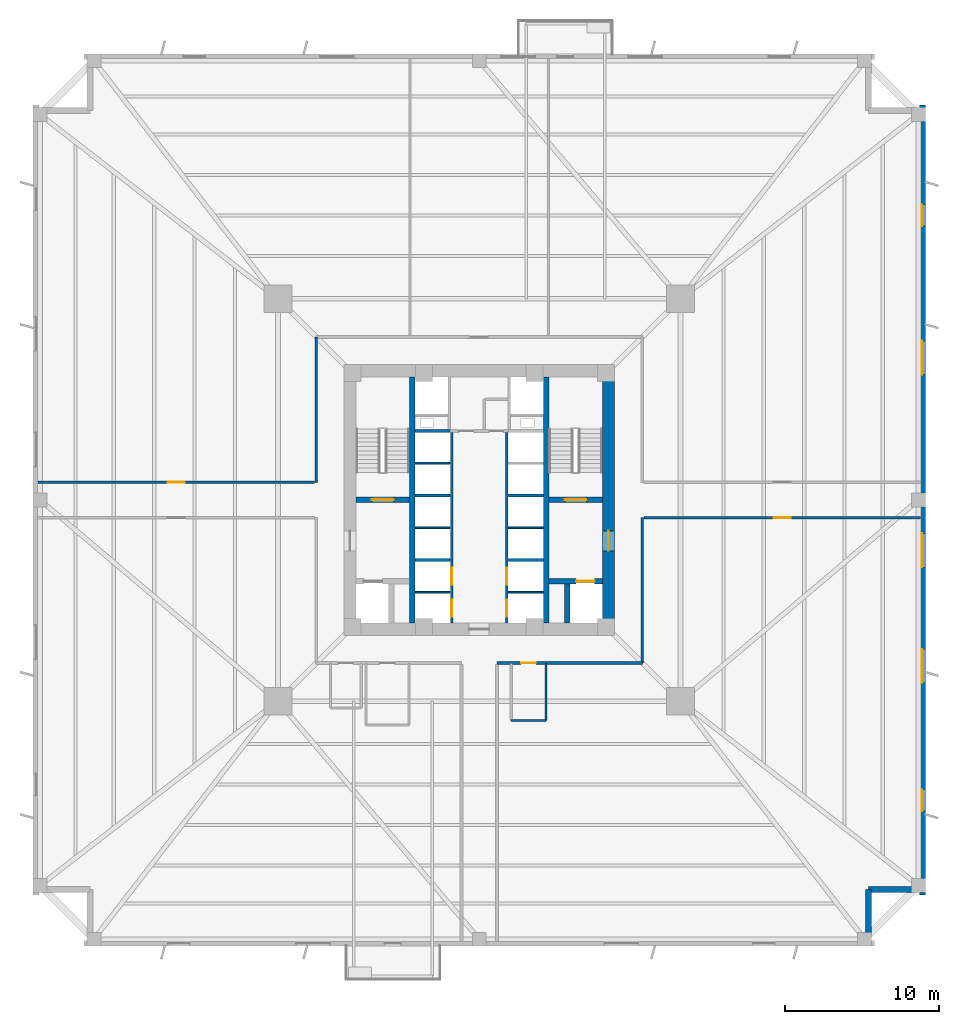
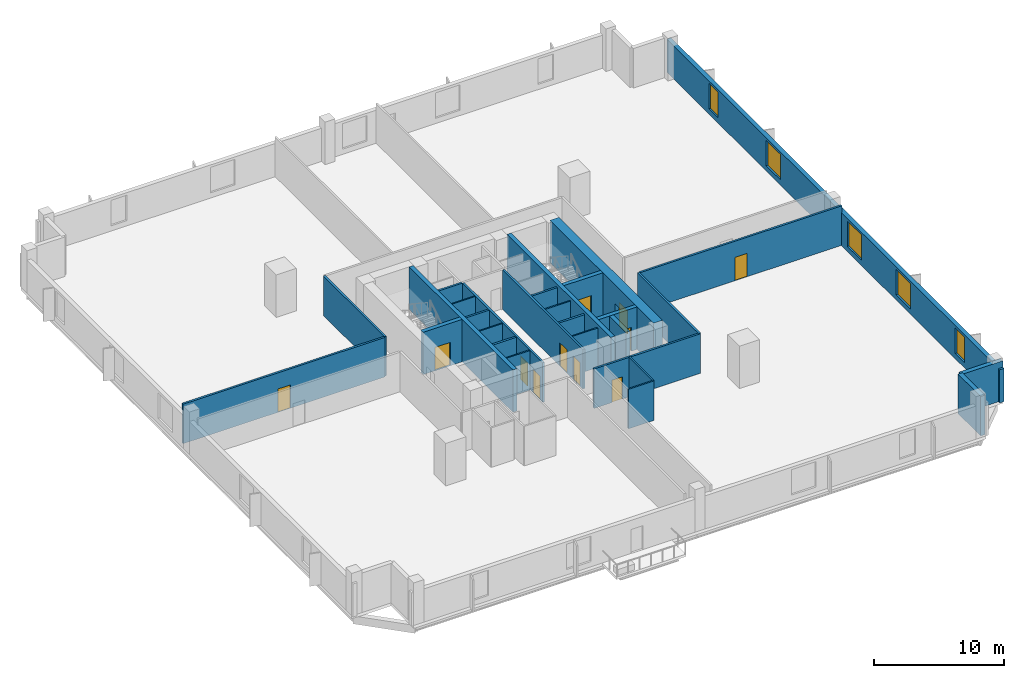
# One storey, part 3 of 8: 29 walls, 11 doors, 5 windows, 16 openings.
"""IFC4 building model written with IfcOpenShell, lengths in metres."""

from ifc_helpers import new_model, si_unit, direction, frame, frame_2d, origin, place, context, subcontext, project, spatial, rectangle, extrude, source, transform, mapped, material, layer, layer_set, type_object, element, fill, save


model = new_model("IFC4")

# Units and contexts
model_context = context("Model", 3, precision=1e-05, world=origin(), true_north=direction((0.0, 1.0)))
body_context = subcontext(model_context, "Body", "Model", "MODEL_VIEW")
ifc_project = project(units=[si_unit("LENGTHUNIT", "METRE"), si_unit("AREAUNIT", "SQUARE_METRE"), si_unit("VOLUMEUNIT", "CUBIC_METRE"), si_unit("PLANEANGLEUNIT", "RADIAN"), si_unit("MASSUNIT", "GRAM", prefix="KILO"), si_unit("THERMODYNAMICTEMPERATUREUNIT", "KELVIN")], contexts=[model_context])

# Site, building, storey
site_placement = place(None, origin())
site = spatial("IfcSite", under=ifc_project, at=site_placement, CompositionType="ELEMENT")
building_placement = place(site_placement, origin())
building = spatial("IfcBuilding", under=site, at=building_placement, Name="Kosmvard Interchange Tower", CompositionType="ELEMENT")
storey_placement = place(building_placement, frame((0.0, 0.0, 30.0)))
storey = spatial("IfcBuildingStorey", under=building, at=storey_placement, Name="L06", CompositionType="ELEMENT", Elevation=30.0)

# Wall, openings, doors
ifc_material_1 = material(Name="Fire-rated gypsum partition system")
ifc_layer_1 = layer(ifc_material_1, 0.179931640625, Name="Fire-rated gypsum partition system")
ifc_layer_set_1 = layer_set([ifc_layer_1], Name="Fire-rated gypsum partition system")
wall_type_1 = type_object("IfcWallType", Name="Corridor & Hotel Compartment Partition 180", PredefinedType="PARTITIONING", material=ifc_layer_set_1)
wall_1_placement = place(storey_placement, frame((-1.7900390625, -7.97998046875, 0.0), z_axis=(0.0, 0.0, 1.0), x_axis=(0.0, 1.0, 0.0)))
wall_1 = element("IfcWall", 1, at=wall_1_placement, inside=storey, type_object=wall_type_1, Name="L06 West Lift Bank Front Wall", PredefinedType="PARTITIONING", context=body_context, shape_type="SweptSolid", body=[
    extrude(rectangle(XDim=12.3798828125, YDim=0.179931640625, at=frame_2d((6.18994140625, 0.0))), origin(), (0.0, 0.0, 1.0), 3.719970703125),
])
opening_1_placement = place(wall_1_placement, frame((0.39990234375, 0.0, 0.0)))
opening_1 = element("IfcOpeningElement", 2, at=opening_1_placement, cuts=wall_1, Name="Opening LD-PL-L1-L06", PredefinedType="OPENING", context=body_context, shape_type="SweptSolid", body=[
    extrude(rectangle(XDim=1.10009765625, YDim=2.199951171875, at=frame_2d((0.550048828125, 1.10009765625))), frame((0.0, 0.10009765625, 0.0), z_axis=(0.0, -1.0, 0.0), x_axis=(1.0, 0.0, 0.0)), (0.0, 0.0, 1.0), 0.199951171875),
])
opening_2_placement = place(wall_1_placement, frame((2.4599609375, 0.0, 0.0)))
opening_2 = element("IfcOpeningElement", 3, at=opening_2_placement, cuts=wall_1, Name="Opening LD-PL-L2-L06", PredefinedType="OPENING", context=body_context, shape_type="SweptSolid", body=[
    extrude(rectangle(XDim=1.10009765625, YDim=2.199951171875, at=frame_2d((0.550048828125, 1.10009765625))), frame((0.0, 0.10009765625, 0.0), z_axis=(0.0, -1.0, 0.0), x_axis=(1.0, 0.0, 0.0)), (0.0, 0.0, 1.0), 0.199951171875),
])
ifc_material_2 = material(Name="Brushed stainless steel sliding leaf", Category="steel")
door_type_1 = type_object("IfcDoorType", Name="Passenger Lift Sliding Landing Door 1100x2200 EI60", OperationType="DOUBLE_DOOR_SLIDING", PredefinedType="DOOR", material=ifc_material_2)
shared_shape_1 = source(origin(), body_context, "Body", "SweptSolid", [
    extrude(rectangle(XDim=1.10009765625, YDim=2.199951171875, at=frame_2d((0.550048828125, 1.10009765625))), frame((0.0, 0.02490234375, 0.0), z_axis=(0.0, -1.0, 0.0), x_axis=(1.0, 0.0, 0.0)), (0.0, 0.0, 1.0), 0.050048828125),
])
door_1_placement = place(opening_1_placement, frame((1.10009765625, 0.0, 0.0), z_axis=(0.0, 0.0, 1.0), x_axis=(-1.0, 0.0, 0.0)))
door_1 = element("IfcDoor", 4, at=door_1_placement, inside=storey, type_object=door_type_1, Name="Lift PL-L1 Landing Door L06", OperationType="DOUBLE_DOOR_SLIDING", OverallHeight=2.199951171875, OverallWidth=1.10009765625, PredefinedType="DOOR", context=body_context, shape_type="MappedRepresentation", body=[
    mapped(shared_shape_1, transform((0.0, 0.0, 0.0), scale=1.0)),
])
fill(opening_1, door_1)
door_2_placement = place(opening_2_placement, frame((1.10009765625, 0.0, 0.0), z_axis=(0.0, 0.0, 1.0), x_axis=(-1.0, 0.0, 0.0)))
door_2 = element("IfcDoor", 5, at=door_2_placement, inside=storey, type_object=door_type_1, Name="Lift PL-L2 Landing Door L06", OperationType="DOUBLE_DOOR_SLIDING", OverallHeight=2.199951171875, OverallWidth=1.10009765625, PredefinedType="DOOR", context=body_context, shape_type="MappedRepresentation", body=[
    mapped(shared_shape_1, transform((0.0, 0.0, 0.0), scale=1.0)),
])
fill(opening_2, door_2)

wall_2_placement = place(storey_placement, frame((1.7900390625, -7.97998046875, 0.0), z_axis=(0.0, 0.0, 1.0), x_axis=(0.0, 1.0, 0.0)))
wall_2 = element("IfcWall", 6, at=wall_2_placement, inside=storey, type_object=wall_type_1, Name="L06 East Lift Bank Front Wall", PredefinedType="PARTITIONING", context=body_context, shape_type="SweptSolid", body=[
    extrude(rectangle(XDim=12.3798828125, YDim=0.179931640625, at=frame_2d((6.18994140625, 0.0))), origin(), (0.0, 0.0, 1.0), 3.719970703125),
])
opening_3_placement = place(wall_2_placement, frame((0.39990234375, 0.0, 0.0)))
opening_3 = element("IfcOpeningElement", 7, at=opening_3_placement, cuts=wall_2, Name="Opening LD-PL-L3-L06", PredefinedType="OPENING", context=body_context, shape_type="SweptSolid", body=[
    extrude(rectangle(XDim=1.10009765625, YDim=2.199951171875, at=frame_2d((0.550048828125, 1.10009765625))), frame((0.0, 0.10009765625, 0.0), z_axis=(0.0, -1.0, 0.0), x_axis=(1.0, 0.0, 0.0)), (0.0, 0.0, 1.0), 0.199951171875),
])
opening_4_placement = place(wall_2_placement, frame((2.4599609375, 0.0, 0.0)))
opening_4 = element("IfcOpeningElement", 8, at=opening_4_placement, cuts=wall_2, Name="Opening LD-PL-L4-L06", PredefinedType="OPENING", context=body_context, shape_type="SweptSolid", body=[
    extrude(rectangle(XDim=1.10009765625, YDim=2.199951171875, at=frame_2d((0.550048828125, 1.10009765625))), frame((0.0, 0.10009765625, 0.0), z_axis=(0.0, -1.0, 0.0), x_axis=(1.0, 0.0, 0.0)), (0.0, 0.0, 1.0), 0.199951171875),
])
door_3_placement = place(opening_3_placement, origin())
door_3 = element("IfcDoor", 9, at=door_3_placement, inside=storey, type_object=door_type_1, Name="Lift PL-L3 Landing Door L06", OperationType="DOUBLE_DOOR_SLIDING", OverallHeight=2.199951171875, OverallWidth=1.10009765625, PredefinedType="DOOR", context=body_context, shape_type="MappedRepresentation", body=[
    mapped(shared_shape_1, transform((0.0, 0.0, 0.0), scale=1.0)),
])
fill(opening_3, door_3)
door_4_placement = place(opening_4_placement, origin())
door_4 = element("IfcDoor", 10, at=door_4_placement, inside=storey, type_object=door_type_1, Name="Lift PL-L4 Landing Door L06", OperationType="DOUBLE_DOOR_SLIDING", OverallHeight=2.199951171875, OverallWidth=1.10009765625, PredefinedType="DOOR", context=body_context, shape_type="MappedRepresentation", body=[
    mapped(shared_shape_1, transform((0.0, 0.0, 0.0), scale=1.0)),
])
fill(opening_4, door_4)

# Wall, opening, door
wall_3_placement = place(storey_placement, frame((1.14990234375, -10.60009765625, 0.0), z_axis=(0.0, 0.0, 1.0), x_axis=(1.0, 0.0, 0.0)))
wall_3 = element("IfcWall", 11, at=wall_3_placement, inside=storey, type_object=wall_type_1, Name="L06 Corridor Wall CSE", PredefinedType="PARTITIONING", context=body_context, shape_type="SweptSolid", body=[
    extrude(rectangle(XDim=9.4501953125, YDim=0.179931640625, at=frame_2d((4.72509765625, 0.0))), origin(), (0.0, 0.0, 1.0), 3.719970703125),
])
opening_5_placement = place(wall_3_placement, frame((1.580078125, 0.0, 0.0)))
opening_5 = element("IfcOpeningElement", 12, at=opening_5_placement, cuts=wall_3, Name="Opening L06-D02", PredefinedType="OPENING", context=body_context, shape_type="SweptSolid", body=[
    extrude(rectangle(XDim=0.949951171875, YDim=2.10009765625, at=frame_2d((0.47509765625, 1.050048828125))), frame((0.0, 0.10009765625, 0.0), z_axis=(0.0, -1.0, 0.0), x_axis=(1.0, 0.0, 0.0)), (0.0, 0.0, 1.0), 0.199951171875),
])
ifc_material_3 = material(Name="Laminated moisture-resistant timber", Category="wood")
door_type_2 = type_object("IfcDoorType", Name="Accessible Washroom Door 950x2100", OperationType="NOTDEFINED", PredefinedType="DOOR", material=ifc_material_3)
shared_shape_2 = source(origin(), body_context, "Body", "SweptSolid", [
    extrude(rectangle(XDim=0.949951171875, YDim=2.10009765625, at=frame_2d((0.47509765625, 1.050048828125))), frame((0.0, 0.02490234375, 0.0), z_axis=(0.0, -1.0, 0.0), x_axis=(1.0, 0.0, 0.0)), (0.0, 0.0, 1.0), 0.050048828125),
])
door_5_placement = place(opening_5_placement, frame((0.949951171875, 0.0, 0.0), z_axis=(0.0, 0.0, 1.0), x_axis=(-1.0, 0.0, 0.0)))
door_5 = element("IfcDoor", 13, at=door_5_placement, inside=storey, type_object=door_type_2, Name="L06 Public Floor Washroom Door", OperationType="SINGLE_SWING_RIGHT", OverallHeight=2.10009765625, OverallWidth=0.949951171875, PredefinedType="DOOR", context=body_context, shape_type="MappedRepresentation", body=[
    mapped(shared_shape_2, transform((0.0, 0.0, 0.0), scale=1.0)),
])
fill(opening_5, door_5)

# Walls
for number, where, z_axis, x_axis, name in (
    (14, (-10.60009765625, 1.14990234375, 0.0), (0.0, 0.0, 1.0), (0.0, 1.0, 0.0), "L06 Corridor Wall CWN"),
    (15, (10.60009765625, -10.60009765625, 0.0), (0.0, 0.0, 1.0), (0.0, 1.0, 0.0), "L06 Corridor Wall CES"),
):
    element("IfcWall", number, at=place(storey_placement, frame(where, z_axis=z_axis, x_axis=x_axis)), inside=storey, type_object=wall_type_1, Name=name, PredefinedType="PARTITIONING", context=body_context, shape_type="SweptSolid", body=[
        extrude(rectangle(XDim=9.4501953125, YDim=0.179931640625, at=frame_2d((4.72509765625, 0.0))), origin(), (0.0, 0.0, 1.0), 3.719970703125),
    ])

# Wall, opening, door
wall_4_placement = place(storey_placement, frame((-28.68505859375, 1.14990234375, 0.0), z_axis=(0.0, 0.0, 1.0), x_axis=(1.0, 0.0, 0.0)))
wall_4 = element("IfcWall", 16, at=wall_4_placement, inside=storey, type_object=wall_type_1, Name="L06 Corridor Wall SWN", PredefinedType="PARTITIONING", context=body_context, shape_type="SweptSolid", body=[
    extrude(rectangle(XDim=17.985107421875, YDim=0.179931640625, at=frame_2d((8.99267578125, 0.0))), origin(), (0.0, 0.0, 1.0), 3.719970703125),
])
opening_6_placement = place(wall_4_placement, frame((8.4423828125, 0.0, 0.0)))
opening_6 = element("IfcOpeningElement", 17, at=opening_6_placement, cuts=wall_4, Name="Opening L06-D04", PredefinedType="OPENING", context=body_context, shape_type="SweptSolid", body=[
    extrude(rectangle(XDim=1.10009765625, YDim=2.199951171875, at=frame_2d((0.550048828125, 1.10009765625))), frame((0.0, 0.10009765625, 0.0), z_axis=(0.0, -1.0, 0.0), x_axis=(1.0, 0.0, 0.0)), (0.0, 0.0, 1.0), 0.199951171875),
])
ifc_material_4 = material(Name="Engineered oak fire-rated timber", Category="wood")
door_type_3 = type_object("IfcDoorType", Name="Office Suite Entrance Door 1100x2200 FD30S", OperationType="NOTDEFINED", PredefinedType="DOOR", material=ifc_material_4)
door_6_placement = place(opening_6_placement, origin())
door_6 = element("IfcDoor", 18, at=door_6_placement, inside=storey, type_object=door_type_3, Name="L06 North-West Open Plan Workplace Door", OperationType="SINGLE_SWING_RIGHT", OverallHeight=2.199951171875, OverallWidth=1.10009765625, PredefinedType="DOOR", context=body_context, shape_type="MappedRepresentation", body=[
    mapped(shared_shape_1, transform((0.0, 0.0, 0.0), scale=1.0)),
])
fill(opening_6, door_6)

wall_5_placement = place(storey_placement, frame((10.699951171875, -1.14990234375, 0.0), z_axis=(0.0, 0.0, 1.0), x_axis=(1.0, 0.0, 0.0)))
wall_5 = element("IfcWall", 19, at=wall_5_placement, inside=storey, type_object=wall_type_1, Name="L06 Corridor Wall SES", PredefinedType="PARTITIONING", context=body_context, shape_type="SweptSolid", body=[
    extrude(rectangle(XDim=17.985107421875, YDim=0.179931640625, at=frame_2d((8.99267578125, 0.0))), origin(), (0.0, 0.0, 1.0), 3.719970703125),
])
opening_7_placement = place(wall_5_placement, frame((8.4423828125, 0.0, 0.0)))
opening_7 = element("IfcOpeningElement", 20, at=opening_7_placement, cuts=wall_5, Name="Opening L06-D07", PredefinedType="OPENING", context=body_context, shape_type="SweptSolid", body=[
    extrude(rectangle(XDim=1.10009765625, YDim=2.199951171875, at=frame_2d((0.550048828125, 1.10009765625))), frame((0.0, 0.10009765625, 0.0), z_axis=(0.0, -1.0, 0.0), x_axis=(1.0, 0.0, 0.0)), (0.0, 0.0, 1.0), 0.199951171875),
])
door_7_placement = place(opening_7_placement, frame((1.10009765625, 0.0, 0.0), z_axis=(0.0, 0.0, 1.0), x_axis=(-1.0, 0.0, 0.0)))
door_7 = element("IfcDoor", 21, at=door_7_placement, inside=storey, type_object=door_type_3, Name="L06 South-East Open Trading Workplace Door", OperationType="SINGLE_SWING_LEFT", OverallHeight=2.199951171875, OverallWidth=1.10009765625, PredefinedType="DOOR", context=body_context, shape_type="MappedRepresentation", body=[
    mapped(shared_shape_1, transform((0.0, 0.0, 0.0), scale=1.0)),
])
fill(opening_7, door_7)

ifc_material_5 = material(Name="Concrete C80/95", Category="concrete")
ifc_layer_2 = layer(ifc_material_5, 0.800048828125, Name="Concrete C80/95")
ifc_layer_set_2 = layer_set([ifc_layer_2], Name="Concrete C80/95")
wall_type_2 = type_object("IfcWallType", Name="Lower Core Shear Wall 800 C80/95", PredefinedType="SHEAR", material=ifc_layer_set_2)
wall_6_placement = place(storey_placement, frame((8.39990234375, -8.0, 0.0), z_axis=(0.0, 0.0, 1.0), x_axis=(0.0, 1.0, 0.0)))
wall_6 = element("IfcWall", 22, at=wall_6_placement, inside=storey, type_object=wall_type_2, Name="L06 Core Shear Wall CW-E", PredefinedType="SHEAR", context=body_context, shape_type="SweptSolid", body=[
    extrude(rectangle(XDim=16.0, YDim=0.800048828125, at=frame_2d((8.0, 0.0))), origin(), (0.0, 0.0, 1.0), 4.0),
])
opening_8_placement = place(wall_6_placement, frame((4.68994140625, 0.0, 0.0)))
opening_8 = element("IfcOpeningElement", 23, at=opening_8_placement, cuts=wall_6, Name="Opening L06-FD2", PredefinedType="OPENING", context=body_context, shape_type="SweptSolid", body=[
    extrude(rectangle(XDim=1.300048828125, YDim=2.199951171875, at=frame_2d((0.64990234375, 1.10009765625))), frame((0.0, 0.41015625, 0.0), z_axis=(0.0, -1.0, 0.0), x_axis=(1.0, 0.0, 0.0)), (0.0, 0.0, 1.0), 0.820068359375),
])
ifc_material_6 = material(Name="Painted fire-rated steel leaf", Category="steel")
door_type_4 = type_object("IfcDoorType", Name="Firefighting Lobby Door 1300x2200 EI60", OperationType="NOTDEFINED", PredefinedType="DOOR", material=ifc_material_6)
shared_shape_3 = source(origin(), body_context, "Body", "SweptSolid", [
    extrude(rectangle(XDim=1.300048828125, YDim=2.199951171875, at=frame_2d((0.64990234375, 1.10009765625))), frame((0.0, 0.02490234375, 0.0), z_axis=(0.0, -1.0, 0.0), x_axis=(1.0, 0.0, 0.0)), (0.0, 0.0, 1.0), 0.050048828125),
])
door_8_placement = place(opening_8_placement, origin())
door_8 = element("IfcDoor", 24, at=door_8_placement, inside=storey, type_object=door_type_4, Name="L06 Firefighting Lobby East Door", OperationType="SINGLE_SWING_RIGHT", OverallHeight=2.199951171875, OverallWidth=1.300048828125, PredefinedType="DOOR", context=body_context, shape_type="MappedRepresentation", body=[
    mapped(shared_shape_3, transform((0.0, 0.0, 0.0), scale=1.0)),
])
fill(opening_8, door_8)

# Walls
ifc_material_7 = material(Name="Precast concrete C45/55", Category="concrete")
ifc_layer_3 = layer(ifc_material_7, 0.3798828125, Name="Precast concrete C45/55")
ifc_layer_set_3 = layer_set([ifc_layer_3], Name="Precast concrete C45/55")
wall_type_3 = type_object("IfcWallType", Name="Lower Tower Precast Pier Wall 380 C45/55", PredefinedType="STANDARD", material=ifc_layer_set_3)
wall_7_placement = place(storey_placement, frame((25.31005859375, -28.81005859375, 0.0), z_axis=(0.0, 0.0, 1.0), x_axis=(0.0, 1.0, 0.0)))
element("IfcWall", 25, at=wall_7_placement, inside=storey, type_object=wall_type_3, Name="L06 Precast Facade Wall N-SE1", PredefinedType="STANDARD", context=body_context, shape_type="SweptSolid", body=[
    extrude(rectangle(XDim=3.5, YDim=0.3798828125, at=frame_2d((1.75, 0.0))), origin(), (0.0, 0.0, 1.0), 3.719970703125),
])
wall_8_placement = place(storey_placement, frame((25.31005859375, -25.31005859375, 0.0), z_axis=(0.0, 0.0, 1.0), x_axis=(1.0, 0.0, 0.0)))
element("IfcWall", 26, at=wall_8_placement, inside=storey, type_object=wall_type_3, Name="L06 Precast Facade Wall N-SE2", PredefinedType="STANDARD", context=body_context, shape_type="SweptSolid", body=[
    extrude(rectangle(XDim=3.68994140625, YDim=0.3798828125, at=frame_2d((1.844970703125, 0.0))), origin(), (0.0, 0.0, 1.0), 3.719970703125),
])

# Wall, openings, windows
wall_9_placement = place(storey_placement, frame((28.81005859375, -25.68994140625, 0.0), z_axis=(0.0, 0.0, 1.0), x_axis=(0.0, 1.0, 0.0)))
wall_9 = element("IfcWall", 27, at=wall_9_placement, inside=storey, type_object=wall_type_3, Name="L06 Precast Facade Wall F-E", PredefinedType="STANDARD", context=body_context, shape_type="SweptSolid", body=[
    extrude(rectangle(XDim=51.3798828125, YDim=0.3798828125, at=frame_2d((25.68994140625, 0.0))), origin(), (0.0, 0.0, 1.0), 3.1201171875),
])
opening_9_placement = place(wall_9_placement, frame((5.465576171875, 0.0, 0.489990234375)))
opening_9 = element("IfcOpeningElement", 28, at=opening_9_placement, cuts=wall_9, Name="Opening L06-W05", PredefinedType="OPENING", context=body_context, shape_type="SweptSolid", body=[
    extrude(rectangle(XDim=1.39990234375, YDim=2.39990234375, at=frame_2d((0.699951171875, 1.199951171875))), frame((0.0, 0.199951171875, 0.0), z_axis=(0.0, -1.0, 0.0), x_axis=(1.0, 0.0, 0.0)), (0.0, 0.0, 1.0), 0.39990234375),
])
opening_10_placement = place(wall_9_placement, frame((13.80029296875, 0.0, 0.489990234375)))
opening_10 = element("IfcOpeningElement", 29, at=opening_10_placement, cuts=wall_9, Name="Opening L06-W06", PredefinedType="OPENING", context=body_context, shape_type="SweptSolid", body=[
    extrude(rectangle(XDim=2.199951171875, YDim=2.39990234375, at=frame_2d((1.10009765625, 1.199951171875))), frame((0.0, 0.199951171875, 0.0), z_axis=(0.0, -1.0, 0.0), x_axis=(1.0, 0.0, 0.0)), (0.0, 0.0, 1.0), 0.39990234375),
])
opening_11_placement = place(wall_9_placement, frame((21.3125, 0.0, 0.489990234375)))
opening_11 = element("IfcOpeningElement", 30, at=opening_11_placement, cuts=wall_9, Name="Opening L06-W07", PredefinedType="OPENING", context=body_context, shape_type="SweptSolid", body=[
    extrude(rectangle(XDim=2.199951171875, YDim=2.39990234375, at=frame_2d((1.10009765625, 1.199951171875))), frame((0.0, 0.199951171875, 0.0), z_axis=(0.0, -1.0, 0.0), x_axis=(1.0, 0.0, 0.0)), (0.0, 0.0, 1.0), 0.39990234375),
])
opening_12_placement = place(wall_9_placement, frame((33.83837890625, 0.0, 0.489990234375)))
opening_12 = element("IfcOpeningElement", 31, at=opening_12_placement, cuts=wall_9, Name="Opening L06-W08", PredefinedType="OPENING", context=body_context, shape_type="SweptSolid", body=[
    extrude(rectangle(XDim=2.199951171875, YDim=2.39990234375, at=frame_2d((1.10009765625, 1.199951171875))), frame((0.0, 0.199951171875, 0.0), z_axis=(0.0, -1.0, 0.0), x_axis=(1.0, 0.0, 0.0)), (0.0, 0.0, 1.0), 0.39990234375),
])
opening_13_placement = place(wall_9_placement, frame((43.48681640625, 0.0, 0.489990234375)))
opening_13 = element("IfcOpeningElement", 32, at=opening_13_placement, cuts=wall_9, Name="Opening L06-W09", PredefinedType="OPENING", context=body_context, shape_type="SweptSolid", body=[
    extrude(rectangle(XDim=1.39990234375, YDim=2.39990234375, at=frame_2d((0.699951171875, 1.199951171875))), frame((0.0, 0.199951171875, 0.0), z_axis=(0.0, -1.0, 0.0), x_axis=(1.0, 0.0, 0.0)), (0.0, 0.0, 1.0), 0.39990234375),
])
ifc_material_8 = material(Name="Low-E solar-control double glazing", Category="glass")
window_type_1 = type_object("IfcWindowType", Name="Notched Corner Feature Window 1400x2400", PartitioningType="SINGLE_PANEL", PredefinedType="WINDOW", material=ifc_material_8)
shared_shape_4 = source(origin(), body_context, "Body", "SweptSolid", [
    extrude(rectangle(XDim=1.39990234375, YDim=2.39990234375, at=frame_2d((0.699951171875, 1.199951171875))), frame((0.0, 0.030029296875, 0.0), z_axis=(0.0, -1.0, 0.0), x_axis=(1.0, 0.0, 0.0)), (0.0, 0.0, 1.0), 0.06005859375),
])
window_1_placement = place(opening_9_placement, origin())
window_1 = element("IfcWindow", 33, at=window_1_placement, inside=storey, type_object=window_type_1, Name="L06 Facade Punched Window 05", OverallHeight=2.39990234375, OverallWidth=1.39990234375, PartitioningType="SINGLE_PANEL", PredefinedType="WINDOW", context=body_context, shape_type="MappedRepresentation", body=[
    mapped(shared_shape_4, transform((0.0, 0.0, 0.0), scale=1.0)),
])
fill(opening_9, window_1)
window_2_placement = place(opening_13_placement, origin())
window_2 = element("IfcWindow", 34, at=window_2_placement, inside=storey, type_object=window_type_1, Name="L06 Facade Punched Window 09", OverallHeight=2.39990234375, OverallWidth=1.39990234375, PartitioningType="SINGLE_PANEL", PredefinedType="WINDOW", context=body_context, shape_type="MappedRepresentation", body=[
    mapped(shared_shape_4, transform((0.0, 0.0, 0.0), scale=1.0)),
])
fill(opening_13, window_2)
window_type_2 = type_object("IfcWindowType", Name="Zone 1 Office Punched Window 2200x2400", PartitioningType="SINGLE_PANEL", PredefinedType="WINDOW", material=ifc_material_8)
shared_shape_5 = source(origin(), body_context, "Body", "SweptSolid", [
    extrude(rectangle(XDim=2.199951171875, YDim=2.39990234375, at=frame_2d((1.10009765625, 1.199951171875))), frame((0.0, 0.030029296875, 0.0), z_axis=(0.0, -1.0, 0.0), x_axis=(1.0, 0.0, 0.0)), (0.0, 0.0, 1.0), 0.06005859375),
])
window_3_placement = place(opening_10_placement, origin())
window_3 = element("IfcWindow", 35, at=window_3_placement, inside=storey, type_object=window_type_2, Name="L06 Facade Punched Window 06", OverallHeight=2.39990234375, OverallWidth=2.199951171875, PartitioningType="SINGLE_PANEL", PredefinedType="WINDOW", context=body_context, shape_type="MappedRepresentation", body=[
    mapped(shared_shape_5, transform((0.0, 0.0, 0.0), scale=1.0)),
])
fill(opening_10, window_3)
window_4_placement = place(opening_11_placement, origin())
window_4 = element("IfcWindow", 36, at=window_4_placement, inside=storey, type_object=window_type_2, Name="L06 Facade Punched Window 07", OverallHeight=2.39990234375, OverallWidth=2.199951171875, PartitioningType="SINGLE_PANEL", PredefinedType="WINDOW", context=body_context, shape_type="MappedRepresentation", body=[
    mapped(shared_shape_5, transform((0.0, 0.0, 0.0), scale=1.0)),
])
fill(opening_11, window_4)
window_5_placement = place(opening_12_placement, origin())
window_5 = element("IfcWindow", 37, at=window_5_placement, inside=storey, type_object=window_type_2, Name="L06 Facade Punched Window 08", OverallHeight=2.39990234375, OverallWidth=2.199951171875, PartitioningType="SINGLE_PANEL", PredefinedType="WINDOW", context=body_context, shape_type="MappedRepresentation", body=[
    mapped(shared_shape_5, transform((0.0, 0.0, 0.0), scale=1.0)),
])
fill(opening_12, window_5)

# Walls
ifc_material_9 = material(Name="Concrete blockwork masonry", Category="masonry")
ifc_layer_4 = layer(ifc_material_9, 0.179931640625, Name="Concrete blockwork masonry")
ifc_layer_set_4 = layer_set([ifc_layer_4], Name="Concrete blockwork masonry")
wall_type_4 = type_object("IfcWallType", Name="Riser & Lift Bank Divider Wall 180", PredefinedType="PARTITIONING", material=ifc_layer_set_4)
for number, where, z_axis, x_axis, name in (
    (38, (-4.169921875, -3.89990234375, 0.0), (0.0, 0.0, 1.0), (1.0, 0.0, 0.0), "L06 West Bank Divider BD1"),
    (39, (1.889892578125, -3.89990234375, 0.0), (0.0, 0.0, 1.0), (1.0, 0.0, 0.0), "L06 East Bank Divider BD1"),
    (40, (-4.169921875, 0.300048828125, 0.0), (0.0, 0.0, 1.0), (1.0, 0.0, 0.0), "L06 West Bank Divider BD2"),
    (41, (1.889892578125, 0.300048828125, 0.0), (0.0, 0.0, 1.0), (1.0, 0.0, 0.0), "L06 East Bank Divider BD2"),
    (42, (-4.169921875, 4.489990234375, 0.0), (0.0, 0.0, 1.0), (1.0, 0.0, 0.0), "L06 West Bank Divider BD3"),
):
    element("IfcWall", number, at=place(storey_placement, frame(where, z_axis=z_axis, x_axis=x_axis)), inside=storey, type_object=wall_type_4, Name=name, PredefinedType="PARTITIONING", context=body_context, shape_type="SweptSolid", body=[
        extrude(rectangle(XDim=2.280029296875, YDim=0.179931640625, at=frame_2d((1.14013671875, 0.0))), origin(), (0.0, 0.0, 1.0), 3.719970703125),
    ])
ifc_material_10 = material(Name="Fire-rated gypsum shaftwall system")
ifc_layer_5 = layer(ifc_material_10, 0.1201171875, Name="Fire-rated gypsum shaftwall system")
ifc_layer_set_5 = layer_set([ifc_layer_5], Name="Fire-rated gypsum shaftwall system")
wall_type_5 = type_object("IfcWallType", Name="Shaft & Riser Fire Partition 120 EI60", PredefinedType="PARTITIONING", material=ifc_layer_set_5)
for number, where, z_axis, x_axis, name in (
    (43, (-4.159912109375, -6.0, 0.0), (0.0, 0.0, 1.0), (1.0, 0.0, 0.0), "L06 Shaft Divider PL-L1"),
    (44, (1.89990234375, -6.0, 0.0), (0.0, 0.0, 1.0), (1.0, 0.0, 0.0), "L06 Shaft Divider PL-L3"),
    (45, (-4.159912109375, -1.800048828125, 0.0), (0.0, 0.0, 1.0), (1.0, 0.0, 0.0), "L06 Shaft Divider PL-M1"),
    (46, (1.89990234375, -1.800048828125, 0.0), (0.0, 0.0, 1.0), (1.0, 0.0, 0.0), "L06 Shaft Divider PL-M3"),
    (47, (-4.159912109375, 2.39990234375, 0.0), (0.0, 0.0, 1.0), (1.0, 0.0, 0.0), "L06 Shaft Divider PL-H1"),
):
    element("IfcWall", number, at=place(storey_placement, frame(where, z_axis=z_axis, x_axis=x_axis)), inside=storey, type_object=wall_type_5, Name=name, PredefinedType="PARTITIONING", context=body_context, shape_type="SweptSolid", body=[
        extrude(rectangle(XDim=2.260009765625, YDim=0.1201171875, at=frame_2d((1.1298828125, 0.0))), origin(), (0.0, 0.0, 1.0), 3.719970703125),
    ])
ifc_material_11 = material(Name="Concrete C60/75", Category="concrete")
ifc_layer_6 = layer(ifc_material_11, 0.360107421875, Name="Concrete C60/75")
ifc_layer_set_6 = layer_set([ifc_layer_6], Name="Concrete C60/75")
wall_type_6 = type_object("IfcWallType", Name="Stair & Lift Shaft Shear Wall 360 C60/75", PredefinedType="SHEAR", material=ifc_layer_set_6)
for number, where, z_axis, x_axis, name in (
    (48, (-4.360107421875, -8.0, 0.0), (0.0, 0.0, 1.0), (0.0, 1.0, 0.0), "L06 Shaft Shear Wall SW-W"),
    (49, (4.360107421875, -8.0, 0.0), (0.0, 0.0, 1.0), (0.0, 1.0, 0.0), "L06 Shaft Shear Wall SW-E"),
):
    element("IfcWall", number, at=place(storey_placement, frame(where, z_axis=z_axis, x_axis=x_axis)), inside=storey, type_object=wall_type_6, Name=name, PredefinedType="SHEAR", context=body_context, shape_type="SweptSolid", body=[
        extrude(rectangle(XDim=16.0, YDim=0.360107421875, at=frame_2d((8.0, 0.0))), origin(), (0.0, 0.0, 1.0), 4.0),
    ])

# Wall, opening, door
wall_10_placement = place(storey_placement, frame((-8.0, 0.02001953125, 0.0), z_axis=(0.0, 0.0, 1.0), x_axis=(1.0, 0.0, 0.0)))
wall_10 = element("IfcWall", 50, at=wall_10_placement, inside=storey, type_object=wall_type_6, Name="L06 Shaft Shear Wall SW-ST1", PredefinedType="SHEAR", context=body_context, shape_type="SweptSolid", body=[
    extrude(rectangle(XDim=3.4599609375, YDim=0.360107421875, at=frame_2d((1.72998046875, 0.0))), origin(), (0.0, 0.0, 1.0), 4.0),
])
opening_14_placement = place(wall_10_placement, frame((1.030029296875, 0.0, 0.0)))
opening_14 = element("IfcOpeningElement", 51, at=opening_14_placement, cuts=wall_10, Name="Opening L06-SD1", PredefinedType="OPENING", context=body_context, shape_type="SweptSolid", body=[
    extrude(rectangle(XDim=1.39990234375, YDim=2.199951171875, at=frame_2d((0.699951171875, 1.10009765625))), frame((0.0, 0.18994140625, 0.0), z_axis=(0.0, -1.0, 0.0), x_axis=(1.0, 0.0, 0.0)), (0.0, 0.0, 1.0), 0.380126953125),
])
door_type_5 = type_object("IfcDoorType", Name="Protected Stair Door 1400x2200 FD60S", OperationType="NOTDEFINED", PredefinedType="DOOR", material=ifc_material_6)
shared_shape_6 = source(origin(), body_context, "Body", "SweptSolid", [
    extrude(rectangle(XDim=1.39990234375, YDim=2.199951171875, at=frame_2d((0.699951171875, 1.10009765625))), frame((0.0, 0.02490234375, 0.0), z_axis=(0.0, -1.0, 0.0), x_axis=(1.0, 0.0, 0.0)), (0.0, 0.0, 1.0), 0.050048828125),
])
door_9_placement = place(opening_14_placement, origin())
door_9 = element("IfcDoor", 52, at=door_9_placement, inside=storey, type_object=door_type_5, Name="L06 Stair ST-1 Enclosure Door", OperationType="SINGLE_SWING_LEFT", OverallHeight=2.199951171875, OverallWidth=1.39990234375, PredefinedType="DOOR", context=body_context, shape_type="MappedRepresentation", body=[
    mapped(shared_shape_6, transform((0.0, 0.0, 0.0), scale=1.0)),
])
fill(opening_14, door_9)

wall_11_placement = place(storey_placement, frame((4.5400390625, 0.02001953125, 0.0), z_axis=(0.0, 0.0, 1.0), x_axis=(1.0, 0.0, 0.0)))
wall_11 = element("IfcWall", 53, at=wall_11_placement, inside=storey, type_object=wall_type_6, Name="L06 Shaft Shear Wall SW-ST2", PredefinedType="SHEAR", context=body_context, shape_type="SweptSolid", body=[
    extrude(rectangle(XDim=3.4599609375, YDim=0.360107421875, at=frame_2d((1.72998046875, 0.0))), origin(), (0.0, 0.0, 1.0), 4.0),
])
opening_15_placement = place(wall_11_placement, frame((1.030029296875, 0.0, 0.0)))
opening_15 = element("IfcOpeningElement", 54, at=opening_15_placement, cuts=wall_11, Name="Opening L06-SD2", PredefinedType="OPENING", context=body_context, shape_type="SweptSolid", body=[
    extrude(rectangle(XDim=1.39990234375, YDim=2.199951171875, at=frame_2d((0.699951171875, 1.10009765625))), frame((0.0, 0.18994140625, 0.0), z_axis=(0.0, -1.0, 0.0), x_axis=(1.0, 0.0, 0.0)), (0.0, 0.0, 1.0), 0.380126953125),
])
door_10_placement = place(opening_15_placement, origin())
door_10 = element("IfcDoor", 55, at=door_10_placement, inside=storey, type_object=door_type_5, Name="L06 Stair ST-2 Enclosure Door", OperationType="SINGLE_SWING_RIGHT", OverallHeight=2.199951171875, OverallWidth=1.39990234375, PredefinedType="DOOR", context=body_context, shape_type="MappedRepresentation", body=[
    mapped(shared_shape_6, transform((0.0, 0.0, 0.0), scale=1.0)),
])
fill(opening_15, door_10)

wall_12_placement = place(storey_placement, frame((4.5400390625, -5.280029296875, 0.0), z_axis=(0.0, 0.0, 1.0), x_axis=(1.0, 0.0, 0.0)))
wall_12 = element("IfcWall", 56, at=wall_12_placement, inside=storey, type_object=wall_type_6, Name="L06 Shaft Shear Wall SW-FF2", PredefinedType="SHEAR", context=body_context, shape_type="SweptSolid", body=[
    extrude(rectangle(XDim=3.4599609375, YDim=0.360107421875, at=frame_2d((1.72998046875, 0.0))), origin(), (0.0, 0.0, 1.0), 4.0),
])
opening_16_placement = place(wall_12_placement, frame((1.760009765625, 0.0, 0.0)))
opening_16 = element("IfcOpeningElement", 57, at=opening_16_placement, cuts=wall_12, Name="Opening LD-FF-2-L06", PredefinedType="OPENING", context=body_context, shape_type="SweptSolid", body=[
    extrude(rectangle(XDim=1.199951171875, YDim=2.25, at=frame_2d((0.60009765625, 1.125))), frame((0.0, 0.18994140625, 0.0), z_axis=(0.0, -1.0, 0.0), x_axis=(1.0, 0.0, 0.0)), (0.0, 0.0, 1.0), 0.380126953125),
])
door_type_6 = type_object("IfcDoorType", Name="Firefighting Lift Sliding Landing Door 1200x2250 EI120", OperationType="DOUBLE_DOOR_SLIDING", PredefinedType="DOOR", material=ifc_material_2)
shared_shape_7 = source(origin(), body_context, "Body", "SweptSolid", [
    extrude(rectangle(XDim=1.199951171875, YDim=2.25, at=frame_2d((0.60009765625, 1.125))), frame((0.0, 0.02490234375, 0.0), z_axis=(0.0, -1.0, 0.0), x_axis=(1.0, 0.0, 0.0)), (0.0, 0.0, 1.0), 0.050048828125),
])
door_11_placement = place(opening_16_placement, origin())
door_11 = element("IfcDoor", 58, at=door_11_placement, inside=storey, type_object=door_type_6, Name="Lift FF-2 Landing Door L06", OperationType="DOUBLE_DOOR_SLIDING", OverallHeight=2.25, OverallWidth=1.199951171875, PredefinedType="DOOR", context=body_context, shape_type="MappedRepresentation", body=[
    mapped(shared_shape_7, transform((0.0, 0.0, 0.0), scale=1.0)),
])
fill(opening_16, door_11)

# Walls
wall_13_placement = place(storey_placement, frame((5.7099609375, -8.0, 0.0), z_axis=(0.0, 0.0, 1.0), x_axis=(0.0, 1.0, 0.0)))
element("IfcWall", 59, at=wall_13_placement, inside=storey, type_object=wall_type_6, Name="L06 Shaft Shear Wall SW-SM2", PredefinedType="SHEAR", context=body_context, shape_type="SweptSolid", body=[
    extrude(rectangle(XDim=2.5400390625, YDim=0.360107421875, at=frame_2d((1.27001953125, 0.0))), origin(), (0.0, 0.0, 1.0), 4.0),
])
ifc_material_12 = material(Name="Moisture-resistant gypsum partition")
ifc_layer_7 = layer(ifc_material_12, 0.135009765625, Name="Moisture-resistant gypsum partition")
ifc_layer_set_7 = layer_set([ifc_layer_7], Name="Moisture-resistant gypsum partition")
wall_type_7 = type_object("IfcWallType", Name="Wet Room Moisture-Resistant Partition 135", PredefinedType="PARTITIONING", material=ifc_layer_set_7)
wall_14_placement = place(storey_placement, frame((2.080078125, -14.320068359375, 0.0), z_axis=(0.0, 0.0, 1.0), x_axis=(1.0, 0.0, 0.0)))
element("IfcWall", 60, at=wall_14_placement, inside=storey, type_object=wall_type_7, Name="L06 Washroom Partition WC1-S", PredefinedType="PARTITIONING", context=body_context, shape_type="SweptSolid", body=[
    extrude(rectangle(XDim=2.25, YDim=0.135009765625, at=frame_2d((1.125, 0.0))), origin(), (0.0, 0.0, 1.0), 3.719970703125),
])
wall_15_placement = place(storey_placement, frame((4.330078125, -14.320068359375, 0.0), z_axis=(0.0, 0.0, 1.0), x_axis=(0.0, 1.0, 0.0)))
element("IfcWall", 61, at=wall_15_placement, inside=storey, type_object=wall_type_7, Name="L06 Washroom Partition WC1-E", PredefinedType="PARTITIONING", context=body_context, shape_type="SweptSolid", body=[
    extrude(rectangle(XDim=3.699951171875, YDim=0.135009765625, at=frame_2d((1.85009765625, 0.0))), origin(), (0.0, 0.0, 1.0), 3.719970703125),
])

save(model, "model.ifc")
